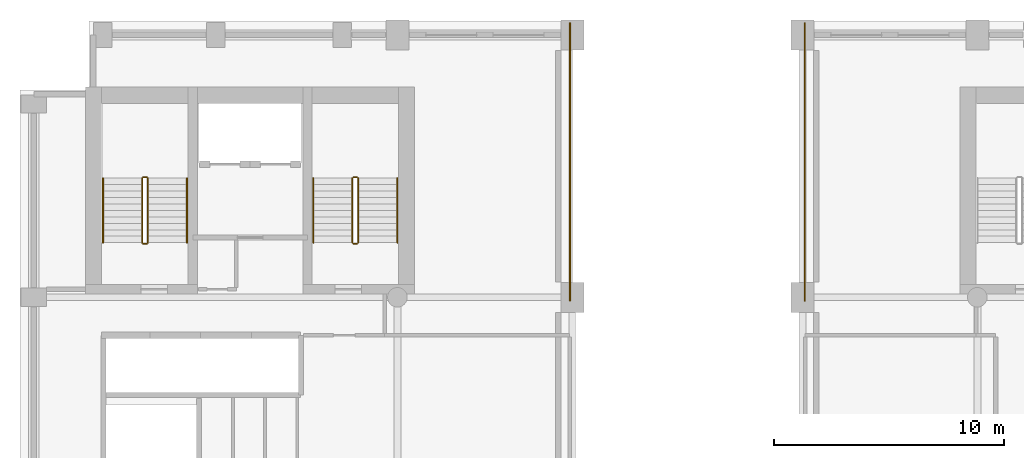
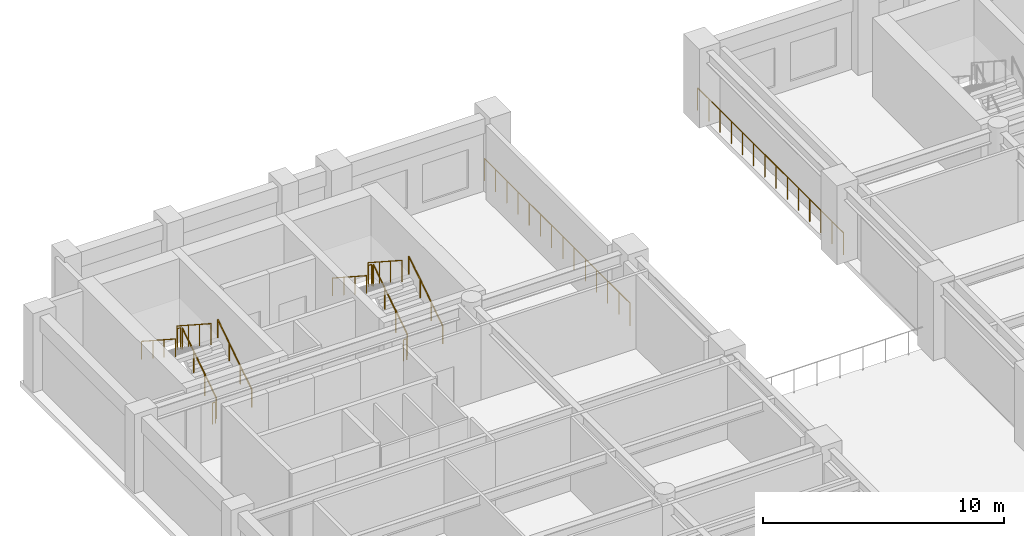
# One storey, part 9 of 10: 14 railings.
"""IFC4 building model written with IfcOpenShell, lengths in metres."""

from ifc_helpers import new_model, si_unit, direction, frame, origin, origin_2d, place, context, subcontext, project, spatial, circle, extrude, material, type_object, element, save


model = new_model("IFC4")

# Units and contexts
model_context = context("Model", 3, precision=1e-05, world=origin(), true_north=direction((0.0, 1.0)))
body_context = subcontext(model_context, "Body", "Model", "MODEL_VIEW")
ifc_project = project(units=[si_unit("LENGTHUNIT", "METRE"), si_unit("AREAUNIT", "SQUARE_METRE"), si_unit("VOLUMEUNIT", "CUBIC_METRE"), si_unit("PLANEANGLEUNIT", "RADIAN"), si_unit("MASSUNIT", "GRAM", prefix="KILO")], contexts=[model_context])

# Site, building, storey
site_placement = place(None, origin())
site = spatial("IfcSite", under=ifc_project, at=site_placement, CompositionType="ELEMENT")
building_placement = place(site_placement, origin())
building = spatial("IfcBuilding", under=site, at=building_placement, Name="Sulina Concourse Tower", CompositionType="ELEMENT")
storey_placement = place(building_placement, frame((0.0, 0.0, 182.60009765625)))
storey = spatial("IfcBuildingStorey", under=building, at=storey_placement, Name="L44", CompositionType="ELEMENT", Elevation=182.60009765625)

# Railings
ifc_material_1 = material(Name="Galvanised steel railing", Category="steel")
railing_type_1 = type_object("IfcRailingType", Name="Core Stair Steel Guardrail 1150mm", PredefinedType="GUARDRAIL", material=ifc_material_1)
railing_1_placement = place(storey_placement, frame((23.89990234375, 33.85009765625, 0.0)))
element("IfcRailing", 1, at=railing_1_placement, inside=storey, type_object=railing_type_1, Name="L44 perimeter edge safety guardrail PFLW", PredefinedType="GUARDRAIL", context=body_context, shape_type="SweptSolid", body=[
    extrude(circle(Radius=0.02392578125, at=origin_2d()), frame((0.0, 0.0, 1.1259765625), z_axis=(0.0, 1.0, 0.0), x_axis=(-1.0, 0.0, 0.0)), (0.0, 0.0, 1.0), 12.06982421875),
    extrude(circle(Radius=0.02099609375, at=origin_2d()), origin(), (0.0, 0.0, 1.0), 1.101806640625),
    extrude(circle(Radius=0.02099609375, at=origin_2d()), frame((0.0, 0.928466796875, 0.0)), (0.0, 0.0, 1.0), 1.101806640625),
    extrude(circle(Radius=0.02099609375, at=origin_2d()), frame((0.0, 1.85693359375, 0.0)), (0.0, 0.0, 1.0), 1.101806640625),
    extrude(circle(Radius=0.02099609375, at=origin_2d()), frame((0.0, 2.785400390625, 0.0)), (0.0, 0.0, 1.0), 1.101806640625),
    extrude(circle(Radius=0.02099609375, at=origin_2d()), frame((0.0, 3.7138671875, 0.0)), (0.0, 0.0, 1.0), 1.101806640625),
    extrude(circle(Radius=0.02099609375, at=origin_2d()), frame((0.0, 4.642333984375, 0.0)), (0.0, 0.0, 1.0), 1.101806640625),
    extrude(circle(Radius=0.02099609375, at=origin_2d()), frame((0.0, 5.57080078125, 0.0)), (0.0, 0.0, 1.0), 1.101806640625),
    extrude(circle(Radius=0.02099609375, at=origin_2d()), frame((0.0, 6.4990234375, 0.0)), (0.0, 0.0, 1.0), 1.101806640625),
    extrude(circle(Radius=0.02099609375, at=origin_2d()), frame((0.0, 7.427490234375, 0.0)), (0.0, 0.0, 1.0), 1.101806640625),
    extrude(circle(Radius=0.02099609375, at=origin_2d()), frame((0.0, 8.35595703125, 0.0)), (0.0, 0.0, 1.0), 1.101806640625),
    extrude(circle(Radius=0.02099609375, at=origin_2d()), frame((0.0, 9.284423828125, 0.0)), (0.0, 0.0, 1.0), 1.101806640625),
    extrude(circle(Radius=0.02099609375, at=origin_2d()), frame((0.0, 10.212890625, 0.0)), (0.0, 0.0, 1.0), 1.101806640625),
    extrude(circle(Radius=0.02099609375, at=origin_2d()), frame((0.0, 11.141357421875, 0.0)), (0.0, 0.0, 1.0), 1.101806640625),
    extrude(circle(Radius=0.02099609375, at=origin_2d()), frame((0.0, 12.06982421875, 0.0)), (0.0, 0.0, 1.0), 1.101806640625),
])
railing_2_placement = place(storey_placement, frame((34.10009765625, 33.85009765625, 0.0)))
element("IfcRailing", 2, at=railing_2_placement, inside=storey, type_object=railing_type_1, Name="L44 perimeter edge safety guardrail PFLE", PredefinedType="GUARDRAIL", context=body_context, shape_type="SweptSolid", body=[
    extrude(circle(Radius=0.02392578125, at=origin_2d()), frame((0.0, 0.0, 1.1259765625), z_axis=(0.0, 1.0, 0.0), x_axis=(-1.0, 0.0, 0.0)), (0.0, 0.0, 1.0), 12.06982421875),
    extrude(circle(Radius=0.02099609375, at=origin_2d()), origin(), (0.0, 0.0, 1.0), 1.101806640625),
    extrude(circle(Radius=0.02099609375, at=origin_2d()), frame((0.0, 0.928466796875, 0.0)), (0.0, 0.0, 1.0), 1.101806640625),
    extrude(circle(Radius=0.02099609375, at=origin_2d()), frame((0.0, 1.85693359375, 0.0)), (0.0, 0.0, 1.0), 1.101806640625),
    extrude(circle(Radius=0.02099609375, at=origin_2d()), frame((0.0, 2.785400390625, 0.0)), (0.0, 0.0, 1.0), 1.101806640625),
    extrude(circle(Radius=0.02099609375, at=origin_2d()), frame((0.0, 3.7138671875, 0.0)), (0.0, 0.0, 1.0), 1.101806640625),
    extrude(circle(Radius=0.02099609375, at=origin_2d()), frame((0.0, 4.642333984375, 0.0)), (0.0, 0.0, 1.0), 1.101806640625),
    extrude(circle(Radius=0.02099609375, at=origin_2d()), frame((0.0, 5.57080078125, 0.0)), (0.0, 0.0, 1.0), 1.101806640625),
    extrude(circle(Radius=0.02099609375, at=origin_2d()), frame((0.0, 6.4990234375, 0.0)), (0.0, 0.0, 1.0), 1.101806640625),
    extrude(circle(Radius=0.02099609375, at=origin_2d()), frame((0.0, 7.427490234375, 0.0)), (0.0, 0.0, 1.0), 1.101806640625),
    extrude(circle(Radius=0.02099609375, at=origin_2d()), frame((0.0, 8.35595703125, 0.0)), (0.0, 0.0, 1.0), 1.101806640625),
    extrude(circle(Radius=0.02099609375, at=origin_2d()), frame((0.0, 9.284423828125, 0.0)), (0.0, 0.0, 1.0), 1.101806640625),
    extrude(circle(Radius=0.02099609375, at=origin_2d()), frame((0.0, 10.212890625, 0.0)), (0.0, 0.0, 1.0), 1.101806640625),
    extrude(circle(Radius=0.02099609375, at=origin_2d()), frame((0.0, 11.141357421875, 0.0)), (0.0, 0.0, 1.0), 1.101806640625),
    extrude(circle(Radius=0.02099609375, at=origin_2d()), frame((0.0, 12.06982421875, 0.0)), (0.0, 0.0, 1.0), 1.101806640625),
])
railing_3_placement = place(storey_placement, frame((5.554931640625, 36.375, 0.181640625)))
element("IfcRailing", 3, at=railing_3_placement, inside=storey, type_object=railing_type_1, Name="L44 ST-1 stair guard 1", PredefinedType="GUARDRAIL", context=body_context, shape_type="SweptSolid", body=[
    extrude(circle(Radius=0.02392578125, at=origin_2d()), frame((0.0, 0.0, 1.076171875), z_axis=(0.0, 0.838672427954, 0.544636170843), x_axis=(-1.0, 0.0, 0.0)), (0.0, 0.0, 1.0), 3.338623046875),
    extrude(circle(Radius=0.02099609375, at=origin_2d()), origin(), (0.0, 0.0, 1.0), 1.052001953125),
    extrude(circle(Radius=0.02099609375, at=origin_2d()), frame((0.0, 0.933349609375, 0.606201171875)), (0.0, 0.0, 1.0), 1.052001953125),
    extrude(circle(Radius=0.02099609375, at=origin_2d()), frame((0.0, 1.86669921875, 1.212158203125)), (0.0, 0.0, 1.0), 1.052001953125),
    extrude(circle(Radius=0.02099609375, at=origin_2d()), frame((0.0, 2.800048828125, 1.818359375)), (0.0, 0.0, 1.0), 1.052001953125),
])
railing_4_placement = place(storey_placement, frame((5.5048828125, 39.22509765625, 2.0)))
element("IfcRailing", 4, at=railing_4_placement, inside=storey, type_object=railing_type_1, Name="L44 ST-1 stair guard 2", PredefinedType="GUARDRAIL", context=body_context, shape_type="SweptSolid", body=[
    extrude(circle(Radius=0.02392578125, at=origin_2d()), frame((0.0, 0.0, 1.076171875), z_axis=(-1.0, 0.0, 0.0), x_axis=(0.0, -1.0, 0.0)), (0.0, 0.0, 1.0), 0.14990234375),
    extrude(circle(Radius=0.02099609375, at=origin_2d()), origin(), (0.0, 0.0, 1.0), 1.052001953125),
    extrude(circle(Radius=0.02099609375, at=origin_2d()), frame((-0.14990234375, 0.0, 0.0)), (0.0, 0.0, 1.0), 1.052001953125),
])
railing_5_placement = place(storey_placement, frame((5.304931640625, 39.175048828125, 2.181640625)))
element("IfcRailing", 5, at=railing_5_placement, inside=storey, type_object=railing_type_1, Name="L44 ST-1 stair guard 3", PredefinedType="GUARDRAIL", context=body_context, shape_type="SweptSolid", body=[
    extrude(circle(Radius=0.02392578125, at=origin_2d()), frame((0.0, 0.0, 1.076171875), z_axis=(0.0, -0.838672427954, 0.544636170843), x_axis=(1.0, 0.0, 0.0)), (0.0, 0.0, 1.0), 3.338623046875),
    extrude(circle(Radius=0.02099609375, at=origin_2d()), origin(), (0.0, 0.0, 1.0), 1.052001953125),
    extrude(circle(Radius=0.02099609375, at=origin_2d()), frame((0.0, -0.933349609375, 0.606201171875)), (0.0, 0.0, 1.0), 1.052001953125),
    extrude(circle(Radius=0.02099609375, at=origin_2d()), frame((0.0, -1.86669921875, 1.212158203125)), (0.0, 0.0, 1.0), 1.052001953125),
    extrude(circle(Radius=0.02099609375, at=origin_2d()), frame((0.0, -2.800048828125, 1.818359375)), (0.0, 0.0, 1.0), 1.052001953125),
])
railing_6_placement = place(storey_placement, frame((5.5048828125, 36.324951171875, 0.0)))
element("IfcRailing", 6, at=railing_6_placement, inside=storey, type_object=railing_type_1, Name="L44 ST-1 stair guard 4", PredefinedType="GUARDRAIL", context=body_context, shape_type="SweptSolid", body=[
    extrude(circle(Radius=0.02392578125, at=origin_2d()), frame((0.0, 0.0, 1.076171875), z_axis=(-1.0, 0.0, 0.0), x_axis=(0.0, -1.0, 0.0)), (0.0, 0.0, 1.0), 0.14990234375),
    extrude(circle(Radius=0.02099609375, at=origin_2d()), origin(), (0.0, 0.0, 1.0), 1.052001953125),
    extrude(circle(Radius=0.02099609375, at=origin_2d()), frame((-0.14990234375, 0.0, 0.0)), (0.0, 0.0, 1.0), 1.052001953125),
])
railing_7_placement = place(storey_placement, frame((14.695068359375, 36.375, 0.181640625)))
element("IfcRailing", 7, at=railing_7_placement, inside=storey, type_object=railing_type_1, Name="L44 ST-2 stair guard 1", PredefinedType="GUARDRAIL", context=body_context, shape_type="SweptSolid", body=[
    extrude(circle(Radius=0.02392578125, at=origin_2d()), frame((0.0, 0.0, 1.076171875), z_axis=(0.0, 0.838672427954, 0.544636170843), x_axis=(-1.0, 0.0, 0.0)), (0.0, 0.0, 1.0), 3.338623046875),
    extrude(circle(Radius=0.02099609375, at=origin_2d()), origin(), (0.0, 0.0, 1.0), 1.052001953125),
    extrude(circle(Radius=0.02099609375, at=origin_2d()), frame((0.0, 0.933349609375, 0.606201171875)), (0.0, 0.0, 1.0), 1.052001953125),
    extrude(circle(Radius=0.02099609375, at=origin_2d()), frame((0.0, 1.86669921875, 1.212158203125)), (0.0, 0.0, 1.0), 1.052001953125),
    extrude(circle(Radius=0.02099609375, at=origin_2d()), frame((0.0, 2.800048828125, 1.818359375)), (0.0, 0.0, 1.0), 1.052001953125),
])
railing_8_placement = place(storey_placement, frame((14.64501953125, 39.22509765625, 2.0)))
element("IfcRailing", 8, at=railing_8_placement, inside=storey, type_object=railing_type_1, Name="L44 ST-2 stair guard 2", PredefinedType="GUARDRAIL", context=body_context, shape_type="SweptSolid", body=[
    extrude(circle(Radius=0.02392578125, at=origin_2d()), frame((0.0, 0.0, 1.076171875), z_axis=(-1.0, 0.0, 0.0), x_axis=(0.0, -1.0, 0.0)), (0.0, 0.0, 1.0), 0.14990234375),
    extrude(circle(Radius=0.02099609375, at=origin_2d()), origin(), (0.0, 0.0, 1.0), 1.052001953125),
    extrude(circle(Radius=0.02099609375, at=origin_2d()), frame((-0.14990234375, 0.0, 0.0)), (0.0, 0.0, 1.0), 1.052001953125),
])
railing_9_placement = place(storey_placement, frame((14.445068359375, 39.175048828125, 2.181640625)))
element("IfcRailing", 9, at=railing_9_placement, inside=storey, type_object=railing_type_1, Name="L44 ST-2 stair guard 3", PredefinedType="GUARDRAIL", context=body_context, shape_type="SweptSolid", body=[
    extrude(circle(Radius=0.02392578125, at=origin_2d()), frame((0.0, 0.0, 1.076171875), z_axis=(0.0, -0.838672427954, 0.544636170843), x_axis=(1.0, 0.0, 0.0)), (0.0, 0.0, 1.0), 3.338623046875),
    extrude(circle(Radius=0.02099609375, at=origin_2d()), origin(), (0.0, 0.0, 1.0), 1.052001953125),
    extrude(circle(Radius=0.02099609375, at=origin_2d()), frame((0.0, -0.933349609375, 0.606201171875)), (0.0, 0.0, 1.0), 1.052001953125),
    extrude(circle(Radius=0.02099609375, at=origin_2d()), frame((0.0, -1.86669921875, 1.212158203125)), (0.0, 0.0, 1.0), 1.052001953125),
    extrude(circle(Radius=0.02099609375, at=origin_2d()), frame((0.0, -2.800048828125, 1.818359375)), (0.0, 0.0, 1.0), 1.052001953125),
])
railing_10_placement = place(storey_placement, frame((14.64501953125, 36.324951171875, 0.0)))
element("IfcRailing", 10, at=railing_10_placement, inside=storey, type_object=railing_type_1, Name="L44 ST-2 stair guard 4", PredefinedType="GUARDRAIL", context=body_context, shape_type="SweptSolid", body=[
    extrude(circle(Radius=0.02392578125, at=origin_2d()), frame((0.0, 0.0, 1.076171875), z_axis=(-1.0, 0.0, 0.0), x_axis=(0.0, -1.0, 0.0)), (0.0, 0.0, 1.0), 0.14990234375),
    extrude(circle(Radius=0.02099609375, at=origin_2d()), origin(), (0.0, 0.0, 1.0), 1.052001953125),
    extrude(circle(Radius=0.02099609375, at=origin_2d()), frame((-0.14990234375, 0.0, 0.0)), (0.0, 0.0, 1.0), 1.052001953125),
])
ifc_material_2 = material(Name="Galvanised steel railing", Category="steel")
railing_type_2 = type_object("IfcRailingType", Name="Stair Wall Steel Handrail 920mm", PredefinedType="HANDRAIL", material=ifc_material_2)
railing_11_placement = place(storey_placement, frame((7.2548828125, 36.375, 0.181640625)))
element("IfcRailing", 11, at=railing_11_placement, inside=storey, type_object=railing_type_2, Name="L44 ST-1 stair handrail 1", PredefinedType="HANDRAIL", context=body_context, shape_type="SweptSolid", body=[
    extrude(circle(Radius=0.02392578125, at=origin_2d()), frame((0.0, 0.0, 0.89599609375), z_axis=(0.0, 0.838672427954, 0.544636170843), x_axis=(-1.0, 0.0, 0.0)), (0.0, 0.0, 1.0), 3.338623046875),
    extrude(circle(Radius=0.02099609375, at=origin_2d()), origin(), (0.0, 0.0, 1.0), 0.871826171875),
    extrude(circle(Radius=0.02099609375, at=origin_2d()), frame((0.0, 0.933349609375, 0.606201171875)), (0.0, 0.0, 1.0), 0.871826171875),
    extrude(circle(Radius=0.02099609375, at=origin_2d()), frame((0.0, 1.86669921875, 1.212158203125)), (0.0, 0.0, 1.0), 0.871826171875),
    extrude(circle(Radius=0.02099609375, at=origin_2d()), frame((0.0, 2.800048828125, 1.818359375)), (0.0, 0.0, 1.0), 0.871826171875),
])
railing_12_placement = place(storey_placement, frame((3.60498046875, 39.175048828125, 2.181640625)))
element("IfcRailing", 12, at=railing_12_placement, inside=storey, type_object=railing_type_2, Name="L44 ST-1 stair handrail 2", PredefinedType="HANDRAIL", context=body_context, shape_type="SweptSolid", body=[
    extrude(circle(Radius=0.02392578125, at=origin_2d()), frame((0.0, 0.0, 0.89599609375), z_axis=(0.0, -0.838672427954, 0.544636170843), x_axis=(1.0, 0.0, 0.0)), (0.0, 0.0, 1.0), 3.338623046875),
    extrude(circle(Radius=0.02099609375, at=origin_2d()), origin(), (0.0, 0.0, 1.0), 0.871826171875),
    extrude(circle(Radius=0.02099609375, at=origin_2d()), frame((0.0, -0.933349609375, 0.606201171875)), (0.0, 0.0, 1.0), 0.871826171875),
    extrude(circle(Radius=0.02099609375, at=origin_2d()), frame((0.0, -1.86669921875, 1.212158203125)), (0.0, 0.0, 1.0), 0.871826171875),
    extrude(circle(Radius=0.02099609375, at=origin_2d()), frame((0.0, -2.800048828125, 1.818359375)), (0.0, 0.0, 1.0), 0.871826171875),
])
railing_13_placement = place(storey_placement, frame((16.39501953125, 36.375, 0.181640625)))
element("IfcRailing", 13, at=railing_13_placement, inside=storey, type_object=railing_type_2, Name="L44 ST-2 stair handrail 1", PredefinedType="HANDRAIL", context=body_context, shape_type="SweptSolid", body=[
    extrude(circle(Radius=0.02392578125, at=origin_2d()), frame((0.0, 0.0, 0.89599609375), z_axis=(0.0, 0.838672427954, 0.544636170843), x_axis=(-1.0, 0.0, 0.0)), (0.0, 0.0, 1.0), 3.338623046875),
    extrude(circle(Radius=0.02099609375, at=origin_2d()), origin(), (0.0, 0.0, 1.0), 0.871826171875),
    extrude(circle(Radius=0.02099609375, at=origin_2d()), frame((0.0, 0.933349609375, 0.606201171875)), (0.0, 0.0, 1.0), 0.871826171875),
    extrude(circle(Radius=0.02099609375, at=origin_2d()), frame((0.0, 1.86669921875, 1.212158203125)), (0.0, 0.0, 1.0), 0.871826171875),
    extrude(circle(Radius=0.02099609375, at=origin_2d()), frame((0.0, 2.800048828125, 1.818359375)), (0.0, 0.0, 1.0), 0.871826171875),
])
railing_14_placement = place(storey_placement, frame((12.7451171875, 39.175048828125, 2.181640625)))
element("IfcRailing", 14, at=railing_14_placement, inside=storey, type_object=railing_type_2, Name="L44 ST-2 stair handrail 2", PredefinedType="HANDRAIL", context=body_context, shape_type="SweptSolid", body=[
    extrude(circle(Radius=0.02392578125, at=origin_2d()), frame((0.0, 0.0, 0.89599609375), z_axis=(0.0, -0.838672427954, 0.544636170843), x_axis=(1.0, 0.0, 0.0)), (0.0, 0.0, 1.0), 3.338623046875),
    extrude(circle(Radius=0.02099609375, at=origin_2d()), origin(), (0.0, 0.0, 1.0), 0.871826171875),
    extrude(circle(Radius=0.02099609375, at=origin_2d()), frame((0.0, -0.933349609375, 0.606201171875)), (0.0, 0.0, 1.0), 0.871826171875),
    extrude(circle(Radius=0.02099609375, at=origin_2d()), frame((0.0, -1.86669921875, 1.212158203125)), (0.0, 0.0, 1.0), 0.871826171875),
    extrude(circle(Radius=0.02099609375, at=origin_2d()), frame((0.0, -2.800048828125, 1.818359375)), (0.0, 0.0, 1.0), 0.871826171875),
])

save(model, "model.ifc")
